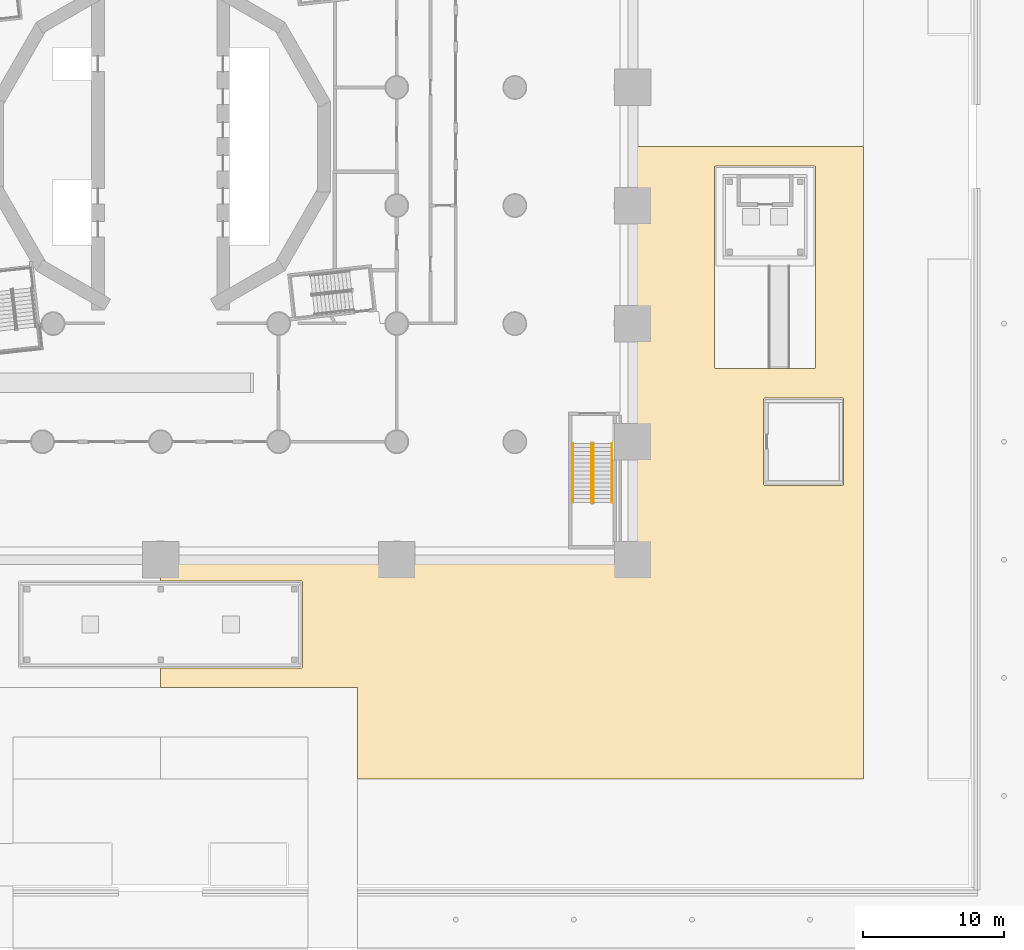
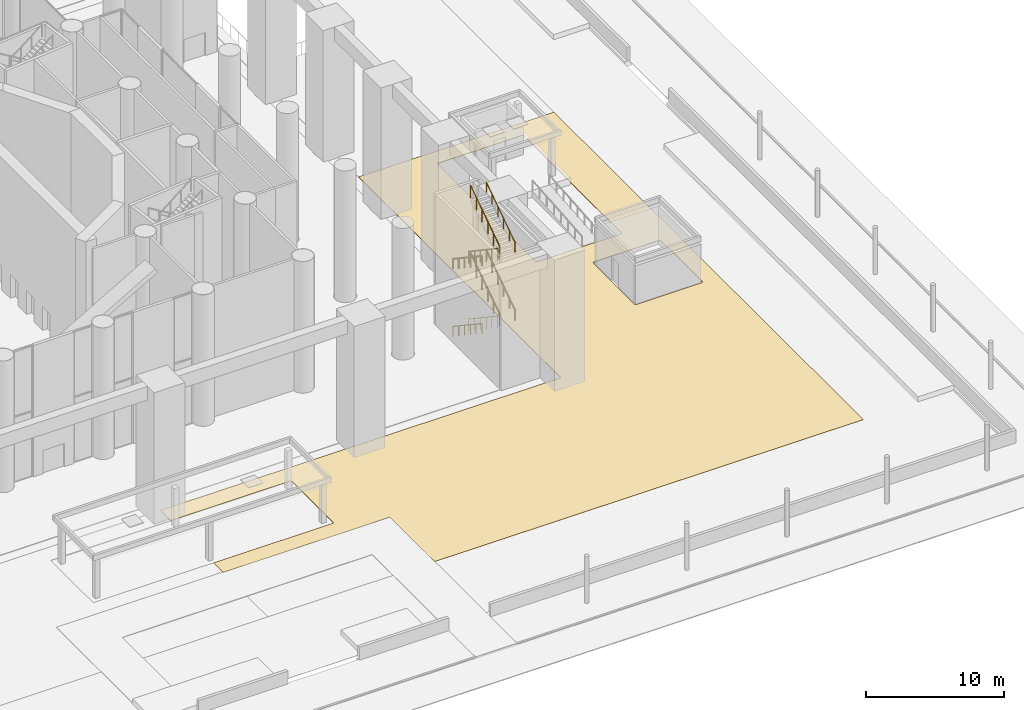
# One storey, part 35 of 52: 8 railings, 1 covering.
"""IFC4 building model written with IfcOpenShell, lengths in metres."""

import ifcopenshell
import ifcopenshell.guid

model = None  # the IFC model being written
_history = None  # IfcOwnerHistory: only IFC2X3 demands one
_inside = {}  # id of a spatial element -> (the spatial element, [elements in it])
_under = {}  # id of a project, library or spatial element -> (it, [spatial elements below it])
_declared = {}  # id of a project -> (the project, [libraries it declares])
_typed = {}  # id of a type object -> (the type object, [elements of that type])
_made_of = {}  # id of a material, layer set ... -> (it, [elements and type objects made of it])


def new_model(schema):
    """Start an empty IFC model of exactly this schema.

    Asked for "IFC4X3", IfcOpenShell would pick the latest addendum, in which some entities
    have other attributes; the version numbers below select the first issue.
    IFC2X3 requires an IfcOwnerHistory on every rooted entity: one is made here for all.
    """
    global model, _history
    if schema == "IFC4X3":
        model = ifcopenshell.file(schema_version=(4, 3, 0, 0))
    else:
        model = ifcopenshell.file(schema=schema)
    _inside.clear()
    _under.clear()
    _declared.clear()
    _typed.clear()
    _made_of.clear()
    _history = None
    if model.schema == "IFC2X3":
        org = make("IfcOrganization", Name="unknown")
        user = make(
            "IfcPersonAndOrganization",
            ThePerson=make("IfcPerson", FamilyName="unknown"),
            TheOrganization=org,
        )
        app = make(
            "IfcApplication",
            ApplicationDeveloper=org,
            Version="unknown",
            ApplicationFullName="unknown",
            ApplicationIdentifier="unknown",
        )
        _history = make(
            "IfcOwnerHistory",
            OwningUser=user,
            OwningApplication=app,
            ChangeAction="ADDED",
            CreationDate=0,
        )
    return model


def make(cls, **values):
    """One entity of the class cls with the attributes given. An attribute that is None is left unset."""
    return model.create_entity(
        cls, **{name: value for name, value in values.items() if value is not None}
    )


def rooted(cls, **values):
    """An entity with a GlobalId (a new one), such as an element, a storey or a relation."""
    return make(cls, GlobalId=ifcopenshell.guid.new(), OwnerHistory=_history, **values)


def si_unit(unit_type, name, prefix=None):
    """IfcSIUnit, for example si_unit("LENGTHUNIT", "METRE", prefix="MILLI")."""
    return make("IfcSIUnit", UnitType=unit_type, Prefix=prefix, Name=name)


def assignment(units):
    """IfcUnitAssignment: the units of a project."""
    return None if units is None else make("IfcUnitAssignment", Units=units)


def point(xyz):
    """IfcCartesianPoint."""
    return None if xyz is None else make("IfcCartesianPoint", Coordinates=xyz)


def direction(xyz):
    """IfcDirection."""
    return None if xyz is None else make("IfcDirection", DirectionRatios=xyz)


def frame(location, z_axis=None, x_axis=None):
    """IfcAxis2Placement3D, a coordinate frame: its origin and axes. An axis left out is left unset."""
    return make(
        "IfcAxis2Placement3D",
        Location=point(location),
        Axis=direction(z_axis),
        RefDirection=direction(x_axis),
    )


def frame_2d(location, x_axis=None):
    """IfcAxis2Placement2D, a coordinate frame in the plane: its origin and x axis."""
    return make(
        "IfcAxis2Placement2D", Location=point(location), RefDirection=direction(x_axis)
    )


def origin():
    """The frame at (0, 0, 0) with its axes left unset."""
    return frame((0.0, 0.0, 0.0))


def origin_2d():
    """The frame at (0, 0) in the plane with its x axis left unset."""
    return frame_2d((0.0, 0.0))


def place(relative_to, where):
    """IfcLocalPlacement: puts the frame where relative to a parent placement (None: the world)."""
    return make(
        "IfcLocalPlacement", PlacementRelTo=relative_to, RelativePlacement=where
    )


def context(
    kind, dimensions, precision=None, world=None, true_north=None, identifier=None
):
    """IfcGeometricRepresentationContext, for example the 3D "Model" context."""
    return make(
        "IfcGeometricRepresentationContext",
        ContextIdentifier=identifier,
        ContextType=kind,
        CoordinateSpaceDimension=dimensions,
        Precision=precision,
        WorldCoordinateSystem=world,
        TrueNorth=true_north,
    )


def subcontext(parent, identifier, kind, view, scale=None):
    """IfcGeometricRepresentationSubContext, for example "Body" below "Model"."""
    return make(
        "IfcGeometricRepresentationSubContext",
        ContextIdentifier=identifier,
        ContextType=kind,
        ParentContext=parent,
        TargetScale=scale,
        TargetView=view,
    )


def project(units=None, contexts=None):
    """IfcProject with its units and contexts."""
    return rooted(
        "IfcProject",
        Name="project",
        RepresentationContexts=contexts,
        UnitsInContext=assignment(units),
    )


def spatial(cls, under=None, at=None, **own):
    """A site, building, storey or space (cls), placed at a placement, below another one or the project."""
    s = rooted(cls, ObjectPlacement=at, **own)
    if under is not None:
        _under.setdefault(under.id(), (under, []))[1].append(s)
    return s


def polyline(points):
    """IfcPolyline through the points."""
    return make("IfcPolyline", Points=[point(p) for p in points])


def profile(cls, at=None, kind="AREA", **sizes):
    """A parametric profile (cls). Its sizes go by their IFC names, for example OverallWidth=200.0."""
    return make(cls, ProfileType=kind, Position=at, **sizes)


def circle(**sizes):
    """IfcCircleProfileDef."""
    return profile("IfcCircleProfileDef", **sizes)


def outline(outer, holes=None, kind="AREA"):
    """IfcArbitraryClosedProfileDef: a profile drawn as a closed curve; with holes, ...WithVoids."""
    if holes is None:
        return make("IfcArbitraryClosedProfileDef", ProfileType=kind, OuterCurve=outer)
    return make(
        "IfcArbitraryProfileDefWithVoids",
        ProfileType=kind,
        OuterCurve=outer,
        InnerCurves=holes,
    )


def extrude(swept, where, along, depth):
    """IfcExtrudedAreaSolid: the profile swept, set in the frame where, extruded along a direction by depth."""
    return make(
        "IfcExtrudedAreaSolid",
        SweptArea=swept,
        Position=where,
        ExtrudedDirection=direction(along),
        Depth=depth,
    )


def shape(context_of_items, identifier, shape_type, items):
    """IfcShapeRepresentation: the items that make up one representation, for example the "Body"."""
    return make(
        "IfcShapeRepresentation",
        ContextOfItems=context_of_items,
        RepresentationIdentifier=identifier,
        RepresentationType=shape_type,
        Items=items,
    )


def material(Name=None, Category=None):
    """IfcMaterial."""
    return make("IfcMaterial", Name=Name, Category=Category)


def layer(
    of_material, thickness, ventilated=None, Name=None, Category=None, Priority=None
):
    """IfcMaterialLayer: one layer of a wall or slab, of a material (None: an air gap)."""
    return make(
        "IfcMaterialLayer",
        Material=of_material,
        LayerThickness=thickness,
        IsVentilated=ventilated,
        Name=Name,
        Category=Category,
        Priority=Priority,
    )


def layer_set(layers, Name=None):
    """IfcMaterialLayerSet."""
    return make("IfcMaterialLayerSet", MaterialLayers=layers, LayerSetName=Name)


def made_of(thing, what):
    """Note that an element or type object is made of a material, layer set ...; save() writes the relation."""
    if what is not None:
        _made_of.setdefault(what.id(), (what, []))[1].append(thing)
    return thing


def type_object(cls, material=None, **own):
    """A type object (cls), such as IfcWallType, which elements share."""
    return made_of(rooted(cls, **own), material)


def element(
    cls,
    number,
    at=None,
    inside=None,
    cuts=None,
    type_object=None,
    material=None,
    context=None,
    identifier="Body",
    shape_type=None,
    held_by="IfcProductDefinitionShape",
    body=None,
    shapes=None,
    **own,
):
    """One element of the class cls, such as IfcWall. Its Tag is "e" and its number.

    at: its placement. inside: the storey or other place that contains it. cuts: it is an
    opening in that element (IfcRelVoidsElement). A single representation is given by context,
    identifier, shape_type and body (its items); several are given by shapes. held_by: the class
    of the entity that holds the representations. save() writes the other relations.
    """
    e = rooted(cls, Tag="e%d" % number, ObjectPlacement=at, **own)
    if body is not None:
        shapes = [shape(context, identifier, shape_type, body)]
    if shapes is not None:
        e.Representation = make(held_by, Representations=shapes)
    if inside is not None:
        _inside.setdefault(inside.id(), (inside, []))[1].append(e)
    if cuts is not None:
        rooted(
            "IfcRelVoidsElement", RelatingBuildingElement=cuts, RelatedOpeningElement=e
        )
    if type_object is not None:
        _typed.setdefault(type_object.id(), (type_object, []))[1].append(e)
    return made_of(e, material)


def aggregate(whole, parts):
    """IfcRelAggregates: a whole, such as a stair, and the parts it consists of."""
    return rooted("IfcRelAggregates", RelatingObject=whole, RelatedObjects=parts)


def save(model, path):
    """Write the relations noted so far, then the file.

    IfcRelAggregates (storeys below a building ...), IfcRelContainedInSpatialStructure (elements
    in a storey), IfcRelDefinesByType, IfcRelAssociatesMaterial and IfcRelDeclares: one each for
    every whole, place, type object, material and project.
    """
    for whole, parts in _under.values():
        aggregate(whole, parts)
    for where, things in _inside.values():
        rooted(
            "IfcRelContainedInSpatialStructure",
            RelatedElements=things,
            RelatingStructure=where,
        )
    for kind, things in _typed.values():
        rooted("IfcRelDefinesByType", RelatedObjects=things, RelatingType=kind)
    for what, things in _made_of.values():
        rooted("IfcRelAssociatesMaterial", RelatedObjects=things, RelatingMaterial=what)
    for by, libraries in _declared.values():
        rooted("IfcRelDeclares", RelatingContext=by, RelatedDefinitions=libraries)
    model.write(path)


model = new_model("IFC4")

# Units and contexts
model_context = context("Model", 3, precision=1e-05, world=origin(), true_north=direction((0.0, 1.0)))
body_context = subcontext(model_context, "Body", "Model", "MODEL_VIEW")
ifc_project = project(units=[si_unit("LENGTHUNIT", "METRE"), si_unit("AREAUNIT", "SQUARE_METRE"), si_unit("VOLUMEUNIT", "CUBIC_METRE"), si_unit("PLANEANGLEUNIT", "RADIAN"), si_unit("MASSUNIT", "GRAM", prefix="KILO")], contexts=[model_context])

# Site, building, storey
site_placement = place(None, origin())
site = spatial("IfcSite", under=ifc_project, at=site_placement, CompositionType="ELEMENT")
building_placement = place(site_placement, origin())
building = spatial("IfcBuilding", under=site, at=building_placement, Name="Cantera Rosa Tower", CompositionType="ELEMENT")
storey_placement = place(building_placement, origin())
storey = spatial("IfcBuildingStorey", under=building, at=storey_placement, Name="L00", CompositionType="ELEMENT", Elevation=0.0)

# Covering
ifc_material_1 = material(Name="Stone paving", Category="masonry")
ifc_layer = layer(ifc_material_1, 0.0400390625)
ifc_layer_set = layer_set([ifc_layer], Name="Plaza paving 40")
covering_type = type_object("IfcCoveringType", Name="Plaza paving 40", PredefinedType="USERDEFINED", material=ifc_layer_set)
covering_placement = place(storey_placement, origin())
element("IfcCovering", 1, at=covering_placement, inside=storey, type_object=covering_type, Name="Plaza paving SE", ObjectType="PAVING", PredefinedType="USERDEFINED", context=body_context, shape_type="SweptSolid", body=[
    extrude(outline(polyline([(50.0, -45.0), (50.0, 0.0), (33.60009765625, 0.0), (33.60009765625, -29.39990234375), (0.0, -29.39990234375), (0.0, -30.89990234375), (10.0, -30.89990234375), (10.009765625, -30.900390625), (10.01953125, -30.90185546875), (10.029052734375, -30.904296875), (10.038330078125, -30.90771484375), (10.047119140625, -30.911865234375), (10.0556640625, -30.9169921875), (10.0634765625, -30.922607421875), (10.07080078125, -30.92919921875), (10.077392578125, -30.9365234375), (10.0830078125, -30.9443359375), (10.088134765625, -30.952880859375), (10.09228515625, -30.961669921875), (10.095703125, -30.970947265625), (10.09814453125, -30.98046875), (10.099609375, -30.990234375), (10.10009765625, -31.0), (10.10009765625, -37.0), (10.099609375, -37.009765625), (10.09814453125, -37.01953125), (10.095703125, -37.029052734375), (10.09228515625, -37.038330078125), (10.088134765625, -37.047119140625), (10.0830078125, -37.0556640625), (10.077392578125, -37.0634765625), (10.07080078125, -37.07080078125), (10.0634765625, -37.077392578125), (10.0556640625, -37.0830078125), (10.047119140625, -37.088134765625), (10.038330078125, -37.09228515625), (10.029052734375, -37.095703125), (10.01953125, -37.09814453125), (10.009765625, -37.099609375), (10.0, -37.10009765625), (0.0, -37.10009765625), (0.0, -38.5), (10.5, -38.5), (14.0, -38.5), (14.0, -42.0), (14.0, -45.0), (50.0, -45.0)]), holes=[polyline([(43.0, -24.10009765625), (48.5, -24.10009765625), (48.509765625, -24.099609375), (48.51953125, -24.09814453125), (48.529052734375, -24.095703125), (48.538330078125, -24.09228515625), (48.547119140625, -24.088134765625), (48.5556640625, -24.0830078125), (48.5634765625, -24.077392578125), (48.57080078125, -24.07080078125), (48.577392578125, -24.0634765625), (48.5830078125, -24.0556640625), (48.588134765625, -24.047119140625), (48.59228515625, -24.038330078125), (48.595703125, -24.029052734375), (48.59814453125, -24.01953125), (48.599609375, -24.009765625), (48.60009765625, -24.0), (48.60009765625, -18.0), (48.599609375, -17.990234375), (48.59814453125, -17.98046875), (48.595703125, -17.970947265625), (48.59228515625, -17.961669921875), (48.588134765625, -17.952880859375), (48.5830078125, -17.9443359375), (48.577392578125, -17.9365234375), (48.57080078125, -17.92919921875), (48.5634765625, -17.922607421875), (48.5556640625, -17.9169921875), (48.547119140625, -17.911865234375), (48.538330078125, -17.90771484375), (48.529052734375, -17.904296875), (48.51953125, -17.90185546875), (48.509765625, -17.900390625), (48.5, -17.89990234375), (43.0, -17.89990234375), (42.990234375, -17.900390625), (42.98046875, -17.90185546875), (42.970947265625, -17.904296875), (42.961669921875, -17.90771484375), (42.952880859375, -17.911865234375), (42.9443359375, -17.9169921875), (42.9365234375, -17.922607421875), (42.92919921875, -17.92919921875), (42.922607421875, -17.9365234375), (42.9169921875, -17.9443359375), (42.911865234375, -17.952880859375), (42.90771484375, -17.961669921875), (42.904296875, -17.970947265625), (42.90185546875, -17.98046875), (42.900390625, -17.990234375), (42.89990234375, -18.0), (42.89990234375, -24.0), (42.900390625, -24.009765625), (42.90185546875, -24.01953125), (42.904296875, -24.029052734375), (42.90771484375, -24.038330078125), (42.911865234375, -24.047119140625), (42.9169921875, -24.0556640625), (42.922607421875, -24.0634765625), (42.92919921875, -24.07080078125), (42.9365234375, -24.077392578125), (42.9443359375, -24.0830078125), (42.952880859375, -24.088134765625), (42.961669921875, -24.09228515625), (42.970947265625, -24.095703125), (42.98046875, -24.09814453125), (42.990234375, -24.099609375), (43.0, -24.10009765625)]), polyline([(39.39990234375, -1.5), (39.39990234375, -15.699951171875), (39.400390625, -15.709716796875), (39.40185546875, -15.719482421875), (39.404296875, -15.72900390625), (39.40771484375, -15.73828125), (39.411865234375, -15.7470703125), (39.4169921875, -15.755615234375), (39.422607421875, -15.763427734375), (39.42919921875, -15.770751953125), (39.4365234375, -15.77734375), (39.4443359375, -15.783203125), (39.452880859375, -15.7880859375), (39.461669921875, -15.79248046875), (39.470947265625, -15.795654296875), (39.48046875, -15.798095703125), (39.490234375, -15.799560546875), (39.5, -15.800048828125), (46.5, -15.800048828125), (46.509765625, -15.799560546875), (46.51953125, -15.798095703125), (46.529052734375, -15.795654296875), (46.538330078125, -15.79248046875), (46.547119140625, -15.7880859375), (46.5556640625, -15.783203125), (46.5634765625, -15.77734375), (46.57080078125, -15.770751953125), (46.577392578125, -15.763427734375), (46.5830078125, -15.755615234375), (46.588134765625, -15.7470703125), (46.59228515625, -15.73828125), (46.595703125, -15.72900390625), (46.59814453125, -15.719482421875), (46.599609375, -15.709716796875), (46.60009765625, -15.699951171875), (46.60009765625, -1.5), (46.599609375, -1.490234375), (46.59814453125, -1.48046875), (46.595703125, -1.470947265625), (46.59228515625, -1.461669921875), (46.588134765625, -1.452880859375), (46.5830078125, -1.4443359375), (46.577392578125, -1.4365234375), (46.57080078125, -1.42919921875), (46.5634765625, -1.422607421875), (46.5556640625, -1.4169921875), (46.547119140625, -1.411865234375), (46.538330078125, -1.40771484375), (46.529052734375, -1.404296875), (46.51953125, -1.40185546875), (46.509765625, -1.400390625), (46.5, -1.39990234375), (39.5, -1.39990234375), (39.490234375, -1.400390625), (39.48046875, -1.40185546875), (39.470947265625, -1.404296875), (39.461669921875, -1.40771484375), (39.452880859375, -1.411865234375), (39.4443359375, -1.4169921875), (39.4365234375, -1.422607421875), (39.42919921875, -1.42919921875), (39.422607421875, -1.4365234375), (39.4169921875, -1.4443359375), (39.411865234375, -1.452880859375), (39.40771484375, -1.461669921875), (39.404296875, -1.470947265625), (39.40185546875, -1.48046875), (39.400390625, -1.490234375), (39.39990234375, -1.5)])]), origin(), (0.0, 0.0, 1.0), 0.0400390625),
])

# Railings
ifc_material_2 = material(Name="Steel S355J2 (EN 10025-2)", Category="steel")
railing_type_1 = type_object("IfcRailingType", Name="STAIR GUARD 1100", PredefinedType="GUARDRAIL", material=ifc_material_2)
railing_1_placement = place(storey_placement, frame((30.65087890625, -21.125, 0.1875)))
element("IfcRailing", 2, at=railing_1_placement, inside=storey, type_object=railing_type_1, Name="L00 ST-SE stair guard 1", PredefinedType="GUARDRAIL", context=body_context, shape_type="SweptSolid", body=[
    extrude(circle(Radius=0.02392578125, at=origin_2d()), frame((0.0, 0.0, 1.076171875), z_axis=(0.0, -0.830904186295, 0.556415522067), x_axis=(1.0, 0.0, 0.0)), (0.0, 0.0, 1.0), 5.0546875),
    extrude(circle(Radius=0.02099609375, at=origin_2d()), origin(), (0.0, 0.0, 1.0), 1.052001953125),
    extrude(circle(Radius=0.02099609375, at=origin_2d()), frame((0.0, -0.840087890625, 0.5625)), (0.0, 0.0, 1.0), 1.052001953125),
    extrude(circle(Radius=0.02099609375, at=origin_2d()), frame((0.0, -1.679931640625, 1.125)), (0.0, 0.0, 1.0), 1.052001953125),
    extrude(circle(Radius=0.02099609375, at=origin_2d()), frame((0.0, -2.52001953125, 1.6875)), (0.0, 0.0, 1.0), 1.052001953125),
    extrude(circle(Radius=0.02099609375, at=origin_2d()), frame((0.0, -3.35986328125, 2.25)), (0.0, 0.0, 1.0), 1.052001953125),
    extrude(circle(Radius=0.02099609375, at=origin_2d()), frame((0.0, -4.199951171875, 2.8125)), (0.0, 0.0, 1.0), 1.052001953125),
])
railing_2_placement = place(storey_placement, frame((30.799072265625, -25.324951171875, 3.1875)))
element("IfcRailing", 3, at=railing_2_placement, inside=storey, type_object=railing_type_1, Name="L00 ST-SE stair guard 3", PredefinedType="GUARDRAIL", context=body_context, shape_type="SweptSolid", body=[
    extrude(circle(Radius=0.02392578125, at=origin_2d()), frame((0.0, 0.0, 1.076171875), z_axis=(0.0, 0.830904186295, 0.556415522067), x_axis=(-1.0, 0.0, 0.0)), (0.0, 0.0, 1.0), 5.0546875),
    extrude(circle(Radius=0.02099609375, at=origin_2d()), origin(), (0.0, 0.0, 1.0), 1.052001953125),
    extrude(circle(Radius=0.02099609375, at=origin_2d()), frame((0.0, 0.840087890625, 0.5625)), (0.0, 0.0, 1.0), 1.052001953125),
    extrude(circle(Radius=0.02099609375, at=origin_2d()), frame((0.0, 1.679931640625, 1.125)), (0.0, 0.0, 1.0), 1.052001953125),
    extrude(circle(Radius=0.02099609375, at=origin_2d()), frame((0.0, 2.52001953125, 1.6875)), (0.0, 0.0, 1.0), 1.052001953125),
    extrude(circle(Radius=0.02099609375, at=origin_2d()), frame((0.0, 3.35986328125, 2.25)), (0.0, 0.0, 1.0), 1.052001953125),
    extrude(circle(Radius=0.02099609375, at=origin_2d()), frame((0.0, 4.199951171875, 2.8125)), (0.0, 0.0, 1.0), 1.052001953125),
])
railing_3_placement = place(storey_placement, frame((30.65087890625, -21.125, 6.1875)))
element("IfcRailing", 4, at=railing_3_placement, inside=storey, type_object=railing_type_1, Name="L00 ST-SE stair guard 5", PredefinedType="GUARDRAIL", context=body_context, shape_type="SweptSolid", body=[
    extrude(circle(Radius=0.02392578125, at=origin_2d()), frame((0.0, 0.0, 1.076171875), z_axis=(0.0, -0.830904186295, 0.556415522067), x_axis=(1.0, 0.0, 0.0)), (0.0, 0.0, 1.0), 5.0546875),
    extrude(circle(Radius=0.02099609375, at=origin_2d()), origin(), (0.0, 0.0, 1.0), 1.052001953125),
    extrude(circle(Radius=0.02099609375, at=origin_2d()), frame((0.0, -0.840087890625, 0.5625)), (0.0, 0.0, 1.0), 1.052001953125),
    extrude(circle(Radius=0.02099609375, at=origin_2d()), frame((0.0, -1.679931640625, 1.125)), (0.0, 0.0, 1.0), 1.052001953125),
    extrude(circle(Radius=0.02099609375, at=origin_2d()), frame((0.0, -2.52001953125, 1.6875)), (0.0, 0.0, 1.0), 1.052001953125),
    extrude(circle(Radius=0.02099609375, at=origin_2d()), frame((0.0, -3.35986328125, 2.25)), (0.0, 0.0, 1.0), 1.052001953125),
    extrude(circle(Radius=0.02099609375, at=origin_2d()), frame((0.0, -4.199951171875, 2.8125)), (0.0, 0.0, 1.0), 1.052001953125),
])
railing_4_placement = place(storey_placement, frame((30.799072265625, -25.324951171875, 9.1875)))
element("IfcRailing", 5, at=railing_4_placement, inside=storey, type_object=railing_type_1, Name="L00 ST-SE stair guard 7", PredefinedType="GUARDRAIL", context=body_context, shape_type="SweptSolid", body=[
    extrude(circle(Radius=0.02392578125, at=origin_2d()), frame((0.0, 0.0, 1.076171875), z_axis=(0.0, 0.830904186295, 0.556415522067), x_axis=(-1.0, 0.0, 0.0)), (0.0, 0.0, 1.0), 5.0546875),
    extrude(circle(Radius=0.02099609375, at=origin_2d()), origin(), (0.0, 0.0, 1.0), 1.052001953125),
    extrude(circle(Radius=0.02099609375, at=origin_2d()), frame((0.0, 0.840087890625, 0.5625)), (0.0, 0.0, 1.0), 1.052001953125),
    extrude(circle(Radius=0.02099609375, at=origin_2d()), frame((0.0, 1.679931640625, 1.125)), (0.0, 0.0, 1.0), 1.052001953125),
    extrude(circle(Radius=0.02099609375, at=origin_2d()), frame((0.0, 2.52001953125, 1.6875)), (0.0, 0.0, 1.0), 1.052001953125),
    extrude(circle(Radius=0.02099609375, at=origin_2d()), frame((0.0, 3.35986328125, 2.25)), (0.0, 0.0, 1.0), 1.052001953125),
    extrude(circle(Radius=0.02099609375, at=origin_2d()), frame((0.0, 4.199951171875, 2.8125)), (0.0, 0.0, 1.0), 1.052001953125),
])
ifc_material_3 = material(Name="Steel S355J2 (EN 10025-2)", Category="steel")
railing_type_2 = type_object("IfcRailingType", Name="STAIR HANDRAIL 900", PredefinedType="HANDRAIL", material=ifc_material_3)
railing_5_placement = place(storey_placement, frame((29.324951171875, -21.125, 0.1875)))
element("IfcRailing", 6, at=railing_5_placement, inside=storey, type_object=railing_type_2, Name="L00 ST-SE stair handrail 1", PredefinedType="HANDRAIL", context=body_context, shape_type="SweptSolid", body=[
    extrude(circle(Radius=0.02392578125, at=origin_2d()), frame((0.0, 0.0, 0.8759765625), z_axis=(0.0, -0.830904186295, 0.556415522067), x_axis=(1.0, 0.0, 0.0)), (0.0, 0.0, 1.0), 5.0546875),
    extrude(circle(Radius=0.02099609375, at=origin_2d()), origin(), (0.0, 0.0, 1.0), 0.851806640625),
    extrude(circle(Radius=0.02099609375, at=origin_2d()), frame((0.0, -0.840087890625, 0.5625)), (0.0, 0.0, 1.0), 0.851806640625),
    extrude(circle(Radius=0.02099609375, at=origin_2d()), frame((0.0, -1.679931640625, 1.125)), (0.0, 0.0, 1.0), 0.851806640625),
    extrude(circle(Radius=0.02099609375, at=origin_2d()), frame((0.0, -2.52001953125, 1.6875)), (0.0, 0.0, 1.0), 0.851806640625),
    extrude(circle(Radius=0.02099609375, at=origin_2d()), frame((0.0, -3.35986328125, 2.25)), (0.0, 0.0, 1.0), 0.851806640625),
    extrude(circle(Radius=0.02099609375, at=origin_2d()), frame((0.0, -4.199951171875, 2.8125)), (0.0, 0.0, 1.0), 0.851806640625),
])
railing_6_placement = place(storey_placement, frame((32.125, -25.324951171875, 3.1875)))
element("IfcRailing", 7, at=railing_6_placement, inside=storey, type_object=railing_type_2, Name="L00 ST-SE stair handrail 2", PredefinedType="HANDRAIL", context=body_context, shape_type="SweptSolid", body=[
    extrude(circle(Radius=0.02392578125, at=origin_2d()), frame((0.0, 0.0, 0.8759765625), z_axis=(0.0, 0.830904186295, 0.556415522067), x_axis=(-1.0, 0.0, 0.0)), (0.0, 0.0, 1.0), 5.0546875),
    extrude(circle(Radius=0.02099609375, at=origin_2d()), origin(), (0.0, 0.0, 1.0), 0.851806640625),
    extrude(circle(Radius=0.02099609375, at=origin_2d()), frame((0.0, 0.840087890625, 0.5625)), (0.0, 0.0, 1.0), 0.851806640625),
    extrude(circle(Radius=0.02099609375, at=origin_2d()), frame((0.0, 1.679931640625, 1.125)), (0.0, 0.0, 1.0), 0.851806640625),
    extrude(circle(Radius=0.02099609375, at=origin_2d()), frame((0.0, 2.52001953125, 1.6875)), (0.0, 0.0, 1.0), 0.851806640625),
    extrude(circle(Radius=0.02099609375, at=origin_2d()), frame((0.0, 3.35986328125, 2.25)), (0.0, 0.0, 1.0), 0.851806640625),
    extrude(circle(Radius=0.02099609375, at=origin_2d()), frame((0.0, 4.199951171875, 2.8125)), (0.0, 0.0, 1.0), 0.851806640625),
])
railing_7_placement = place(storey_placement, frame((29.324951171875, -21.125, 6.1875)))
element("IfcRailing", 8, at=railing_7_placement, inside=storey, type_object=railing_type_2, Name="L00 ST-SE stair handrail 3", PredefinedType="HANDRAIL", context=body_context, shape_type="SweptSolid", body=[
    extrude(circle(Radius=0.02392578125, at=origin_2d()), frame((0.0, 0.0, 0.8759765625), z_axis=(0.0, -0.830904186295, 0.556415522067), x_axis=(1.0, 0.0, 0.0)), (0.0, 0.0, 1.0), 5.0546875),
    extrude(circle(Radius=0.02099609375, at=origin_2d()), origin(), (0.0, 0.0, 1.0), 0.851806640625),
    extrude(circle(Radius=0.02099609375, at=origin_2d()), frame((0.0, -0.840087890625, 0.5625)), (0.0, 0.0, 1.0), 0.851806640625),
    extrude(circle(Radius=0.02099609375, at=origin_2d()), frame((0.0, -1.679931640625, 1.125)), (0.0, 0.0, 1.0), 0.851806640625),
    extrude(circle(Radius=0.02099609375, at=origin_2d()), frame((0.0, -2.52001953125, 1.6875)), (0.0, 0.0, 1.0), 0.851806640625),
    extrude(circle(Radius=0.02099609375, at=origin_2d()), frame((0.0, -3.35986328125, 2.25)), (0.0, 0.0, 1.0), 0.851806640625),
    extrude(circle(Radius=0.02099609375, at=origin_2d()), frame((0.0, -4.199951171875, 2.8125)), (0.0, 0.0, 1.0), 0.851806640625),
])
railing_8_placement = place(storey_placement, frame((32.125, -25.324951171875, 9.1875)))
element("IfcRailing", 9, at=railing_8_placement, inside=storey, type_object=railing_type_2, Name="L00 ST-SE stair handrail 4", PredefinedType="HANDRAIL", context=body_context, shape_type="SweptSolid", body=[
    extrude(circle(Radius=0.02392578125, at=origin_2d()), frame((0.0, 0.0, 0.8759765625), z_axis=(0.0, 0.830904186295, 0.556415522067), x_axis=(-1.0, 0.0, 0.0)), (0.0, 0.0, 1.0), 5.0546875),
    extrude(circle(Radius=0.02099609375, at=origin_2d()), origin(), (0.0, 0.0, 1.0), 0.851806640625),
    extrude(circle(Radius=0.02099609375, at=origin_2d()), frame((0.0, 0.840087890625, 0.5625)), (0.0, 0.0, 1.0), 0.851806640625),
    extrude(circle(Radius=0.02099609375, at=origin_2d()), frame((0.0, 1.679931640625, 1.125)), (0.0, 0.0, 1.0), 0.851806640625),
    extrude(circle(Radius=0.02099609375, at=origin_2d()), frame((0.0, 2.52001953125, 1.6875)), (0.0, 0.0, 1.0), 0.851806640625),
    extrude(circle(Radius=0.02099609375, at=origin_2d()), frame((0.0, 3.35986328125, 2.25)), (0.0, 0.0, 1.0), 0.851806640625),
    extrude(circle(Radius=0.02099609375, at=origin_2d()), frame((0.0, 4.199951171875, 2.8125)), (0.0, 0.0, 1.0), 0.851806640625),
])

save(model, "model.ifc")
